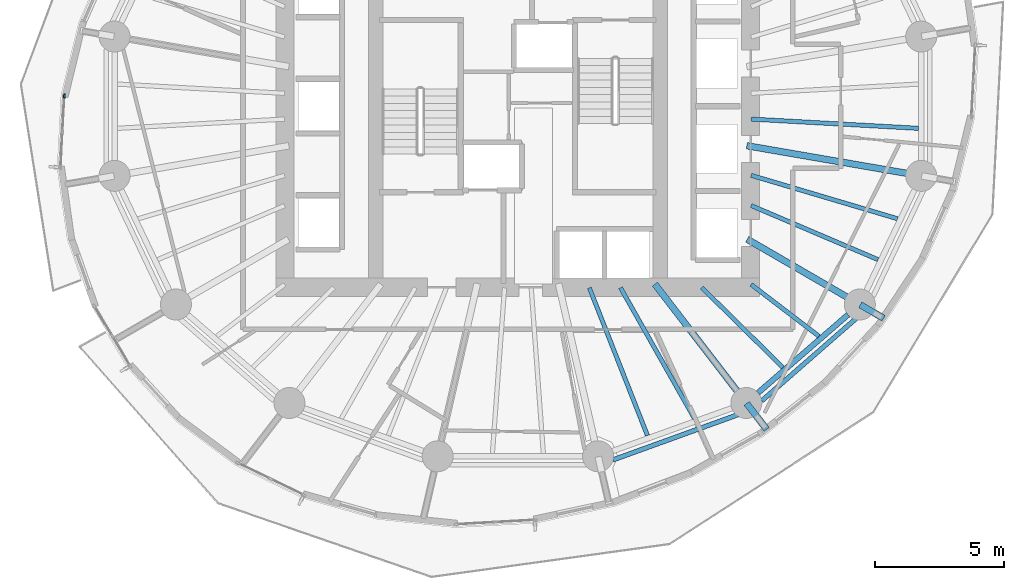
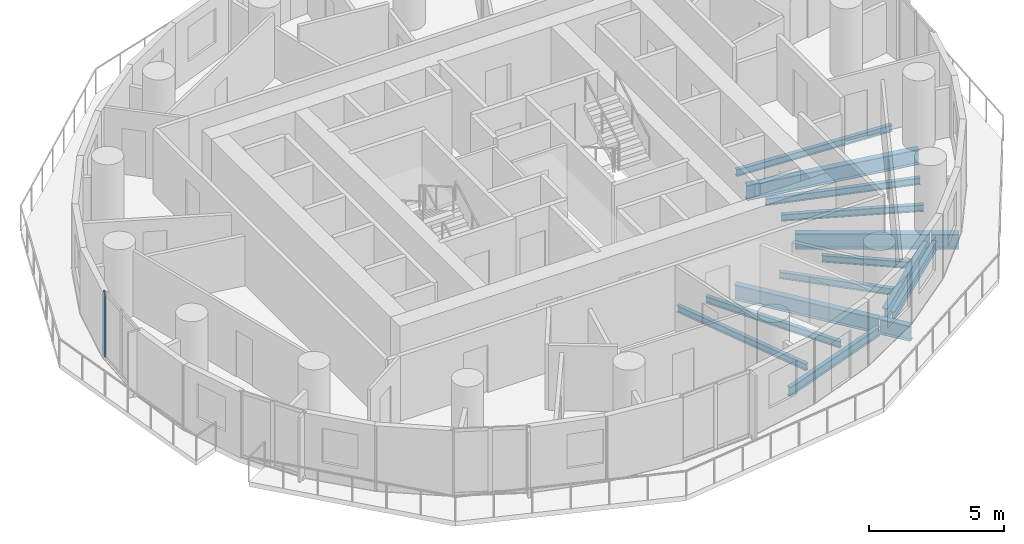
# One storey, part 3 of 15: 15 beams, 1 member, 1 element without a shape of its own.
"""IFC4 building model written with IfcOpenShell, lengths in metres."""

from ifc_helpers import new_model, si_unit, direction, frame, origin, origin_2d, place, context, subcontext, project, spatial, rectangle, i_section, extrude, material, material_profile, profile_set, type_object, element, aggregate, save


model = new_model("IFC4")

# Units and contexts
model_context = context("Model", 3, precision=1e-05, world=origin(), true_north=direction((0.0, 1.0)))
body_context = subcontext(model_context, "Body", "Model", "MODEL_VIEW")
ifc_project = project(units=[si_unit("LENGTHUNIT", "METRE"), si_unit("AREAUNIT", "SQUARE_METRE"), si_unit("VOLUMEUNIT", "CUBIC_METRE"), si_unit("PLANEANGLEUNIT", "RADIAN"), si_unit("MASSUNIT", "GRAM", prefix="KILO")], contexts=[model_context])

# Site, building, storey
site_placement = place(None, origin())
site = spatial("IfcSite", under=ifc_project, at=site_placement, CompositionType="ELEMENT")
building_placement = place(site_placement, origin())
building = spatial("IfcBuilding", under=site, at=building_placement, Name="Veldorim Arch Residences", CompositionType="ELEMENT")
storey_placement = place(building_placement, frame((0.0, 0.0, 102.8798828125)))
storey = spatial("IfcBuildingStorey", under=building, at=storey_placement, Name="L30", CompositionType="ELEMENT", Elevation=102.8798828125)

# Beams
ifc_material_1 = material(Name="Steel S355", Category="steel")
ifc_material_profile_1 = material_profile(ifc_material_1, i_section(OverallWidth=0.2119140625, OverallDepth=0.54443359375, WebThickness=0.0126953125, FlangeThickness=0.021240234375, at=origin_2d()), Name="UB533x210x122")
ifc_profile_set_1 = profile_set([ifc_material_profile_1], Name="Steel S355")
beam_type_1 = type_object("IfcBeamType", Name="Structural Steel Beam UB533x210x122", PredefinedType="BEAM", material=ifc_profile_set_1)
beam_1_placement = place(storey_placement, frame((41.28662109375, 12.9189453125, -0.511962890625), z_axis=(0.755244952556, 0.655442645576, 0.0), x_axis=(-0.655442645576, 0.755244952556, 0.0)))
element("IfcBeam", 1, at=beam_1_placement, inside=storey, type_object=beam_type_1, Name="L30 perimeter ring tie beam 14", PredefinedType="BEAM", context=body_context, shape_type="SweptSolid", body=[
    extrude(i_section(OverallWidth=0.2119140625, OverallDepth=0.54443359375, WebThickness=0.0126953125, FlangeThickness=0.021240234375, at=origin_2d()), origin(), (0.0, 0.0, 1.0), 4.608642578125),
])
ifc_material_2 = material(Name="Steel S355", Category="steel")
ifc_material_profile_2 = material_profile(ifc_material_2, i_section(OverallWidth=0.25439453125, OverallDepth=0.6875, WebThickness=0.01318359375, FlangeThickness=0.02099609375, at=origin_2d()), Name="UB686x254x152")
ifc_profile_set_2 = profile_set([ifc_material_profile_2], Name="Steel S355")
beam_type_2 = type_object("IfcBeamType", Name="Structural Steel GIRDER UB686x254x152", PredefinedType="USERDEFINED", material=ifc_profile_set_2)
beam_2_placement = place(storey_placement, frame((37.297607421875, 17.118896484375, -0.58349609375), z_axis=(0.609994628196, -0.792405548676, 0.0), x_axis=(0.792405548676, 0.609994628196, 0.0)))
element("IfcBeam", 2, at=beam_2_placement, inside=storey, type_object=beam_type_2, Name="L30 radial floor girder 14", ObjectType="GIRDER", PredefinedType="USERDEFINED", context=body_context, shape_type="SweptSolid", body=[
    extrude(i_section(OverallWidth=0.25439453125, OverallDepth=0.6875, WebThickness=0.01318359375, FlangeThickness=0.02099609375, at=origin_2d()), origin(), (0.0, 0.0, 1.0), 5.776611328125),
])
beam_3_placement = place(storey_placement, frame((40.845703125, 12.510009765625, -0.58349609375), z_axis=(0.610026114637, -0.792381309384, 0.0), x_axis=(0.792381309384, 0.610026114637, 0.0)))
element("IfcBeam", 3, at=beam_3_placement, inside=storey, type_object=beam_type_2, Name="L30 radial edge cantilever girder 14", ObjectType="GIRDER", PredefinedType="USERDEFINED", context=body_context, shape_type="SweptSolid", body=[
    extrude(i_section(OverallWidth=0.25439453125, OverallDepth=0.6875, WebThickness=0.01318359375, FlangeThickness=0.02099609375, at=origin_2d()), origin(), (0.0, 0.0, 1.0), 1.27197265625),
])
beam_4_placement = place(storey_placement, frame((40.8701171875, 18.85595703125, -0.58349609375), z_axis=(0.865048957682, -0.501687453314, 0.0), x_axis=(0.501687453314, 0.865048957682, 0.0)))
element("IfcBeam", 4, at=beam_4_placement, inside=storey, type_object=beam_type_2, Name="L30 radial floor girder 15", ObjectType="GIRDER", PredefinedType="USERDEFINED", context=body_context, shape_type="SweptSolid", body=[
    extrude(i_section(OverallWidth=0.25439453125, OverallDepth=0.6875, WebThickness=0.01318359375, FlangeThickness=0.02099609375, at=origin_2d()), origin(), (0.0, 0.0, 1.0), 5.009033203125),
])
beam_5_placement = place(storey_placement, frame((45.23779296875, 16.322998046875, -0.58349609375), z_axis=(0.865063622803, -0.501662165708, 0.0), x_axis=(0.501662165708, 0.865063622803, 0.0)))
element("IfcBeam", 5, at=beam_5_placement, inside=storey, type_object=beam_type_2, Name="L30 radial edge cantilever girder 15", ObjectType="GIRDER", PredefinedType="USERDEFINED", context=body_context, shape_type="SweptSolid", body=[
    extrude(i_section(OverallWidth=0.25439453125, OverallDepth=0.6875, WebThickness=0.01318359375, FlangeThickness=0.02099609375, at=origin_2d()), origin(), (0.0, 0.0, 1.0), 1.04541015625),
])
beam_6_placement = place(storey_placement, frame((40.852294921875, 22.4716796875, -0.58349609375), z_axis=(0.985426622718, -0.17010106184, 0.0), x_axis=(0.17010106184, 0.985426622718, 0.0)))
element("IfcBeam", 6, at=beam_6_placement, inside=storey, type_object=beam_type_2, Name="L30 radial floor girder 16", ObjectType="GIRDER", PredefinedType="USERDEFINED", context=body_context, shape_type="SweptSolid", body=[
    extrude(i_section(OverallWidth=0.25439453125, OverallDepth=0.6875, WebThickness=0.01318359375, FlangeThickness=0.02099609375, at=origin_2d()), origin(), (0.0, 0.0, 1.0), 6.82177734375),
])
ifc_material_3 = material(Name="Steel S355", Category="steel")
ifc_material_profile_3 = material_profile(ifc_material_3, i_section(OverallWidth=0.165771484375, OverallDepth=0.306640625, WebThickness=0.006591796875, FlangeThickness=0.01171875, at=origin_2d()), Name="UB305x165x46")
ifc_profile_set_3 = profile_set([ifc_material_profile_3], Name="Steel S355")
beam_type_3 = type_object("IfcBeamType", Name="Structural Steel Joist UB305x165x46", PredefinedType="JOIST", material=ifc_profile_set_3)
beam_7_placement = place(storey_placement, frame((34.761962890625, 16.9814453125, -0.39306640625), z_axis=(0.366194870364, -0.930538186707, 0.0), x_axis=(0.930538186707, 0.366194870364, 0.0)))
element("IfcBeam", 7, at=beam_7_placement, inside=storey, type_object=beam_type_3, Name="L30 secondary radial floor joist 13-1", PredefinedType="JOIST", context=body_context, shape_type="SweptSolid", body=[
    extrude(i_section(OverallWidth=0.165771484375, OverallDepth=0.306640625, WebThickness=0.006591796875, FlangeThickness=0.01171875, at=origin_2d()), origin(), (0.0, 0.0, 1.0), 6.1396484375),
])
beam_8_placement = place(storey_placement, frame((35.96826171875, 16.982666015625, -0.39306640625), z_axis=(0.492227411199, -0.870466642476, 0.0), x_axis=(0.870466642476, 0.492227411199, 0.0)))
element("IfcBeam", 8, at=beam_8_placement, inside=storey, type_object=beam_type_3, Name="L30 secondary radial floor joist 13-2", PredefinedType="JOIST", context=body_context, shape_type="SweptSolid", body=[
    extrude(i_section(OverallWidth=0.165771484375, OverallDepth=0.306640625, WebThickness=0.006591796875, FlangeThickness=0.01171875, at=origin_2d()), origin(), (0.0, 0.0, 1.0), 5.81494140625),
])
beam_9_placement = place(storey_placement, frame((39.114013671875, 16.986083984375, -0.39306640625), z_axis=(0.712111629941, -0.702066255066, 0.0), x_axis=(0.702066255066, 0.712111629941, 0.0)))
element("IfcBeam", 9, at=beam_9_placement, inside=storey, type_object=beam_type_3, Name="L30 secondary radial floor joist 14-1", PredefinedType="JOIST", context=body_context, shape_type="SweptSolid", body=[
    extrude(i_section(OverallWidth=0.165771484375, OverallDepth=0.306640625, WebThickness=0.006591796875, FlangeThickness=0.01171875, at=origin_2d()), origin(), (0.0, 0.0, 1.0), 4.39892578125),
])
beam_10_placement = place(storey_placement, frame((41.015869140625, 17.111572265625, -0.39306640625), z_axis=(0.794594763594, -0.60714014994, 0.0), x_axis=(0.60714014994, 0.794594763594, 0.0)))
element("IfcBeam", 10, at=beam_10_placement, inside=storey, type_object=beam_type_3, Name="L30 secondary radial floor joist 14-2", PredefinedType="JOIST", context=body_context, shape_type="SweptSolid", body=[
    extrude(i_section(OverallWidth=0.165771484375, OverallDepth=0.306640625, WebThickness=0.006591796875, FlangeThickness=0.01171875, at=origin_2d()), origin(), (0.0, 0.0, 1.0), 3.30419921875),
])
beam_11_placement = place(storey_placement, frame((41.018310546875, 20.158447265625, -0.39306640625), z_axis=(0.919997395122, -0.391924473552, 0.0), x_axis=(0.391924473552, 0.919997395122, 0.0)))
element("IfcBeam", 11, at=beam_11_placement, inside=storey, type_object=beam_type_3, Name="L30 secondary radial floor joist 15-1", PredefinedType="JOIST", context=body_context, shape_type="SweptSolid", body=[
    extrude(i_section(OverallWidth=0.165771484375, OverallDepth=0.306640625, WebThickness=0.006591796875, FlangeThickness=0.01171875, at=origin_2d()), origin(), (0.0, 0.0, 1.0), 5.334716796875),
])
beam_12_placement = place(storey_placement, frame((41.019287109375, 21.326416015625, -0.39306640625), z_axis=(0.958753061488, -0.284240333324, 0.0), x_axis=(0.284240333324, 0.958753061488, 0.0)))
element("IfcBeam", 12, at=beam_12_placement, inside=storey, type_object=beam_type_3, Name="L30 secondary radial floor joist 15-2", PredefinedType="JOIST", context=body_context, shape_type="SweptSolid", body=[
    extrude(i_section(OverallWidth=0.165771484375, OverallDepth=0.306640625, WebThickness=0.006591796875, FlangeThickness=0.01171875, at=origin_2d()), origin(), (0.0, 0.0, 1.0), 5.906005859375),
])
beam_13_placement = place(storey_placement, frame((41.02001953125, 23.501708984375, -0.39306640625), z_axis=(0.99847713097, -0.055167190702, 0.0), x_axis=(0.055167190702, 0.99847713097, 0.0)))
element("IfcBeam", 13, at=beam_13_placement, inside=storey, type_object=beam_type_3, Name="L30 secondary radial floor joist 16-1", PredefinedType="JOIST", context=body_context, shape_type="SweptSolid", body=[
    extrude(i_section(OverallWidth=0.165771484375, OverallDepth=0.306640625, WebThickness=0.006591796875, FlangeThickness=0.01171875, at=origin_2d()), origin(), (0.0, 0.0, 1.0), 6.474365234375),
])
ifc_material_4 = material(Name="Steel S355", Category="steel")
ifc_material_profile_4 = material_profile(ifc_material_4, i_section(OverallWidth=0.1787109375, OverallDepth=0.409423828125, WebThickness=0.0087890625, FlangeThickness=0.014404296875, at=origin_2d()), Name="UB406x178x67")
ifc_profile_set_4 = profile_set([ifc_material_profile_4], Name="Steel S355")
beam_type_4 = type_object("IfcBeamType", Name="Structural Steel Spandrel UB406x178x67", PredefinedType="SPANDREL", material=ifc_profile_set_4)
beam_14_placement = place(storey_placement, frame((35.672119140625, 10.3232421875, -0.464599609375), z_axis=(0.940307501418, 0.340326024244, 0.0), x_axis=(-0.340326024244, 0.940307501418, 0.0)))
element("IfcBeam", 14, at=beam_14_placement, inside=storey, type_object=beam_type_4, Name="L30 perimeter chord spandrel beam 13", PredefinedType="SPANDREL", context=body_context, shape_type="SweptSolid", body=[
    extrude(i_section(OverallWidth=0.1787109375, OverallDepth=0.409423828125, WebThickness=0.0087890625, FlangeThickness=0.014404296875, at=origin_2d()), origin(), (0.0, 0.0, 1.0), 5.175048828125),
])
beam_15_placement = place(storey_placement, frame((41.4326171875, 12.611572265625, -0.464599609375), z_axis=(0.753323239074, 0.65765043714, 0.0), x_axis=(-0.65765043714, 0.753323239074, 0.0)))
element("IfcBeam", 15, at=beam_15_placement, inside=storey, type_object=beam_type_4, Name="L30 perimeter chord spandrel beam 14", PredefinedType="SPANDREL", context=body_context, shape_type="SweptSolid", body=[
    extrude(i_section(OverallWidth=0.1787109375, OverallDepth=0.409423828125, WebThickness=0.0087890625, FlangeThickness=0.014404296875, at=origin_2d()), origin(), (0.0, 0.0, 1.0), 4.879150390625),
])

# Curtain wall, member
ifc_material_5 = material(Name="Aluminium", Category="aluminium")
curtain_wall_type = type_object("IfcCurtainWallType", Name="Zone 2 Solar-Control Unitised Curtain Wall", PredefinedType="NOTDEFINED", material=ifc_material_5)
curtain_wall_placement = place(storey_placement, origin())
curtain_wall = element("IfcCurtainWall", 16, at=curtain_wall_placement, inside=storey, type_object=curtain_wall_type, Name="L30 unitised curtain wall bay 16", PredefinedType="NOTDEFINED")
ifc_material_6 = material(Name="Aluminium", Category="aluminium")
ifc_material_profile_5 = material_profile(ifc_material_6, rectangle(XDim=0.06494140625, YDim=0.1650390625, at=origin_2d()), Name="ALU_MUL_65x165")
ifc_profile_set_5 = profile_set([ifc_material_profile_5], Name="Aluminium")
member_type = type_object("IfcMemberType", Name="Zone 2 Solar-Control Unitised Curtain Wall Mullion 65x165", PredefinedType="MULLION", material=ifc_profile_set_5)
member_placement = place(storey_placement, frame((14.462890625, 24.39990234375, 0.0), z_axis=(0.0, 0.0, 1.0), x_axis=(-0.998590099536, 0.053083077429, 0.0)))
member = element("IfcMember", 17, at=member_placement, type_object=member_type, Name="CW-Z2 mullion 3", PredefinedType="MULLION", context=body_context, shape_type="SweptSolid", body=[
    extrude(rectangle(XDim=0.06494140625, YDim=0.1650390625, at=origin_2d()), origin(), (0.0, 0.0, 1.0), 2.960205078125),
])
aggregate(curtain_wall, [member])

save(model, "model.ifc")
